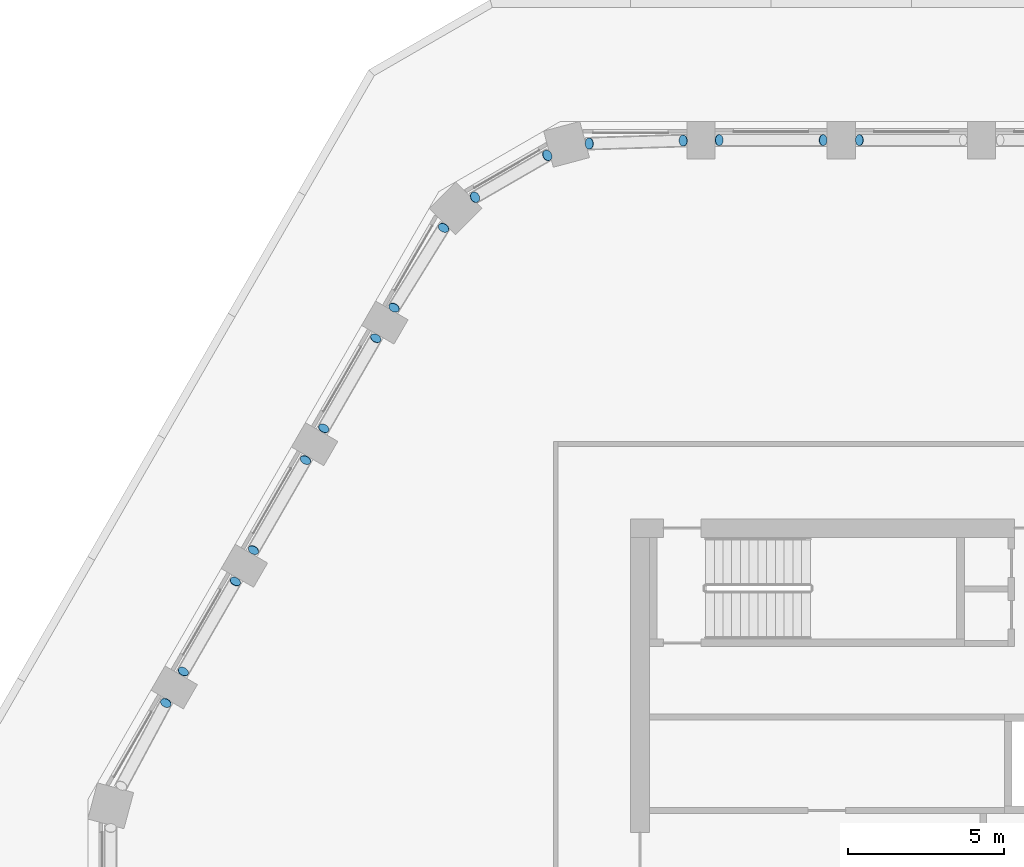
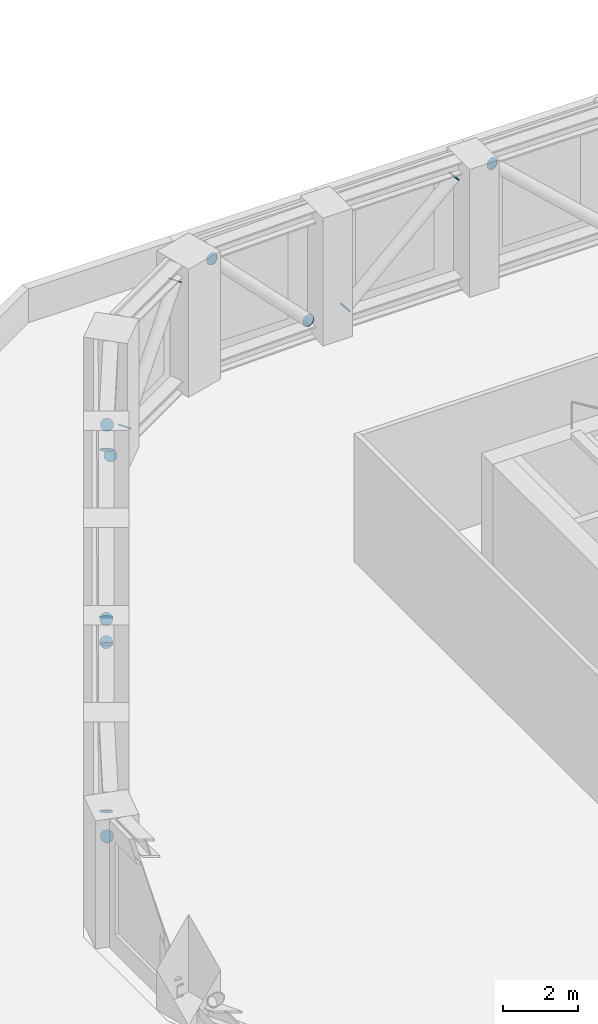
# One storey, part 12 of 14: 16 discrete accessories.
"""IFC4 building model written with IfcOpenShell, lengths in metres."""

import ifcopenshell
import ifcopenshell.guid

model = None  # the IFC model being written
_history = None  # IfcOwnerHistory: only IFC2X3 demands one
_inside = {}  # id of a spatial element -> (the spatial element, [elements in it])
_under = {}  # id of a project, library or spatial element -> (it, [spatial elements below it])
_declared = {}  # id of a project -> (the project, [libraries it declares])
_typed = {}  # id of a type object -> (the type object, [elements of that type])
_made_of = {}  # id of a material, layer set ... -> (it, [elements and type objects made of it])


def new_model(schema):
    """Start an empty IFC model of exactly this schema.

    Asked for "IFC4X3", IfcOpenShell would pick the latest addendum, in which some entities
    have other attributes; the version numbers below select the first issue.
    IFC2X3 requires an IfcOwnerHistory on every rooted entity: one is made here for all.
    """
    global model, _history
    if schema == "IFC4X3":
        model = ifcopenshell.file(schema_version=(4, 3, 0, 0))
    else:
        model = ifcopenshell.file(schema=schema)
    _inside.clear()
    _under.clear()
    _declared.clear()
    _typed.clear()
    _made_of.clear()
    _history = None
    if model.schema == "IFC2X3":
        org = make("IfcOrganization", Name="unknown")
        user = make(
            "IfcPersonAndOrganization",
            ThePerson=make("IfcPerson", FamilyName="unknown"),
            TheOrganization=org,
        )
        app = make(
            "IfcApplication",
            ApplicationDeveloper=org,
            Version="unknown",
            ApplicationFullName="unknown",
            ApplicationIdentifier="unknown",
        )
        _history = make(
            "IfcOwnerHistory",
            OwningUser=user,
            OwningApplication=app,
            ChangeAction="ADDED",
            CreationDate=0,
        )
    return model


def make(cls, **values):
    """One entity of the class cls with the attributes given. An attribute that is None is left unset."""
    return model.create_entity(
        cls, **{name: value for name, value in values.items() if value is not None}
    )


def rooted(cls, **values):
    """An entity with a GlobalId (a new one), such as an element, a storey or a relation."""
    return make(cls, GlobalId=ifcopenshell.guid.new(), OwnerHistory=_history, **values)


def si_unit(unit_type, name, prefix=None):
    """IfcSIUnit, for example si_unit("LENGTHUNIT", "METRE", prefix="MILLI")."""
    return make("IfcSIUnit", UnitType=unit_type, Prefix=prefix, Name=name)


def assignment(units):
    """IfcUnitAssignment: the units of a project."""
    return None if units is None else make("IfcUnitAssignment", Units=units)


def point(xyz):
    """IfcCartesianPoint."""
    return None if xyz is None else make("IfcCartesianPoint", Coordinates=xyz)


def direction(xyz):
    """IfcDirection."""
    return None if xyz is None else make("IfcDirection", DirectionRatios=xyz)


def frame(location, z_axis=None, x_axis=None):
    """IfcAxis2Placement3D, a coordinate frame: its origin and axes. An axis left out is left unset."""
    return make(
        "IfcAxis2Placement3D",
        Location=point(location),
        Axis=direction(z_axis),
        RefDirection=direction(x_axis),
    )


def frame_2d(location, x_axis=None):
    """IfcAxis2Placement2D, a coordinate frame in the plane: its origin and x axis."""
    return make(
        "IfcAxis2Placement2D", Location=point(location), RefDirection=direction(x_axis)
    )


def origin():
    """The frame at (0, 0, 0) with its axes left unset."""
    return frame((0.0, 0.0, 0.0))


def origin_2d():
    """The frame at (0, 0) in the plane with its x axis left unset."""
    return frame_2d((0.0, 0.0))


def place(relative_to, where):
    """IfcLocalPlacement: puts the frame where relative to a parent placement (None: the world)."""
    return make(
        "IfcLocalPlacement", PlacementRelTo=relative_to, RelativePlacement=where
    )


def context(
    kind, dimensions, precision=None, world=None, true_north=None, identifier=None
):
    """IfcGeometricRepresentationContext, for example the 3D "Model" context."""
    return make(
        "IfcGeometricRepresentationContext",
        ContextIdentifier=identifier,
        ContextType=kind,
        CoordinateSpaceDimension=dimensions,
        Precision=precision,
        WorldCoordinateSystem=world,
        TrueNorth=true_north,
    )


def subcontext(parent, identifier, kind, view, scale=None):
    """IfcGeometricRepresentationSubContext, for example "Body" below "Model"."""
    return make(
        "IfcGeometricRepresentationSubContext",
        ContextIdentifier=identifier,
        ContextType=kind,
        ParentContext=parent,
        TargetScale=scale,
        TargetView=view,
    )


def project(units=None, contexts=None):
    """IfcProject with its units and contexts."""
    return rooted(
        "IfcProject",
        Name="project",
        RepresentationContexts=contexts,
        UnitsInContext=assignment(units),
    )


def spatial(cls, under=None, at=None, **own):
    """A site, building, storey or space (cls), placed at a placement, below another one or the project."""
    s = rooted(cls, ObjectPlacement=at, **own)
    if under is not None:
        _under.setdefault(under.id(), (under, []))[1].append(s)
    return s


def profile(cls, at=None, kind="AREA", **sizes):
    """A parametric profile (cls). Its sizes go by their IFC names, for example OverallWidth=200.0."""
    return make(cls, ProfileType=kind, Position=at, **sizes)


def circle(**sizes):
    """IfcCircleProfileDef."""
    return profile("IfcCircleProfileDef", **sizes)


def extrude(swept, where, along, depth):
    """IfcExtrudedAreaSolid: the profile swept, set in the frame where, extruded along a direction by depth."""
    return make(
        "IfcExtrudedAreaSolid",
        SweptArea=swept,
        Position=where,
        ExtrudedDirection=direction(along),
        Depth=depth,
    )


def shape(context_of_items, identifier, shape_type, items):
    """IfcShapeRepresentation: the items that make up one representation, for example the "Body"."""
    return make(
        "IfcShapeRepresentation",
        ContextOfItems=context_of_items,
        RepresentationIdentifier=identifier,
        RepresentationType=shape_type,
        Items=items,
    )


def material(Name=None, Category=None):
    """IfcMaterial."""
    return make("IfcMaterial", Name=Name, Category=Category)


def material_profile(
    of_material, cross_section, Name=None, Category=None, Priority=None
):
    """IfcMaterialProfile: a cross section and its material."""
    return make(
        "IfcMaterialProfile",
        Name=Name,
        Material=of_material,
        Profile=cross_section,
        Priority=Priority,
        Category=Category,
    )


def profile_set(profiles, Name=None, composite=None):
    """IfcMaterialProfileSet."""
    return make(
        "IfcMaterialProfileSet",
        Name=Name,
        MaterialProfiles=profiles,
        CompositeProfile=composite,
    )


def made_of(thing, what):
    """Note that an element or type object is made of a material, layer set ...; save() writes the relation."""
    if what is not None:
        _made_of.setdefault(what.id(), (what, []))[1].append(thing)
    return thing


def type_object(cls, material=None, **own):
    """A type object (cls), such as IfcWallType, which elements share."""
    return made_of(rooted(cls, **own), material)


def element(
    cls,
    number,
    at=None,
    inside=None,
    cuts=None,
    type_object=None,
    material=None,
    context=None,
    identifier="Body",
    shape_type=None,
    held_by="IfcProductDefinitionShape",
    body=None,
    shapes=None,
    **own,
):
    """One element of the class cls, such as IfcWall. Its Tag is "e" and its number.

    at: its placement. inside: the storey or other place that contains it. cuts: it is an
    opening in that element (IfcRelVoidsElement). A single representation is given by context,
    identifier, shape_type and body (its items); several are given by shapes. held_by: the class
    of the entity that holds the representations. save() writes the other relations.
    """
    e = rooted(cls, Tag="e%d" % number, ObjectPlacement=at, **own)
    if body is not None:
        shapes = [shape(context, identifier, shape_type, body)]
    if shapes is not None:
        e.Representation = make(held_by, Representations=shapes)
    if inside is not None:
        _inside.setdefault(inside.id(), (inside, []))[1].append(e)
    if cuts is not None:
        rooted(
            "IfcRelVoidsElement", RelatingBuildingElement=cuts, RelatedOpeningElement=e
        )
    if type_object is not None:
        _typed.setdefault(type_object.id(), (type_object, []))[1].append(e)
    return made_of(e, material)


def aggregate(whole, parts):
    """IfcRelAggregates: a whole, such as a stair, and the parts it consists of."""
    return rooted("IfcRelAggregates", RelatingObject=whole, RelatedObjects=parts)


def save(model, path):
    """Write the relations noted so far, then the file.

    IfcRelAggregates (storeys below a building ...), IfcRelContainedInSpatialStructure (elements
    in a storey), IfcRelDefinesByType, IfcRelAssociatesMaterial and IfcRelDeclares: one each for
    every whole, place, type object, material and project.
    """
    for whole, parts in _under.values():
        aggregate(whole, parts)
    for where, things in _inside.values():
        rooted(
            "IfcRelContainedInSpatialStructure",
            RelatedElements=things,
            RelatingStructure=where,
        )
    for kind, things in _typed.values():
        rooted("IfcRelDefinesByType", RelatedObjects=things, RelatingType=kind)
    for what, things in _made_of.values():
        rooted("IfcRelAssociatesMaterial", RelatedObjects=things, RelatingMaterial=what)
    for by, libraries in _declared.values():
        rooted("IfcRelDeclares", RelatingContext=by, RelatedDefinitions=libraries)
    model.write(path)


model = new_model("IFC4")

# Units and contexts
model_context = context("Model", 3, precision=1e-05, world=origin(), true_north=direction((0.0, 1.0)))
body_context = subcontext(model_context, "Body", "Model", "MODEL_VIEW")
ifc_project = project(units=[si_unit("LENGTHUNIT", "METRE"), si_unit("AREAUNIT", "SQUARE_METRE"), si_unit("VOLUMEUNIT", "CUBIC_METRE"), si_unit("PLANEANGLEUNIT", "RADIAN"), si_unit("MASSUNIT", "GRAM", prefix="KILO")], contexts=[model_context])

# Site, building, storey
site_placement = place(None, origin())
site = spatial("IfcSite", under=ifc_project, at=site_placement, CompositionType="ELEMENT")
building_placement = place(site_placement, origin())
building = spatial("IfcBuilding", under=site, at=building_placement, Name="Dhurran Vertical Campus", CompositionType="ELEMENT")
storey_placement = place(building_placement, frame((0.0, 0.0, 179.39990234375)))
storey = spatial("IfcBuildingStorey", under=building, at=storey_placement, Name="L44 Plant", CompositionType="ELEMENT", Elevation=179.39990234375)

# Discrete accessories
ifc_material = material(Name="Steel S355J2", Category="steel")
ifc_material_profile = material_profile(ifc_material, circle(Radius=0.177734375, at=origin_2d()), Name="Tube end cap 356 x 20")
ifc_profile_set = profile_set([ifc_material_profile], Name="Steel S355J2")
discrete_accessory_type = type_object("IfcDiscreteAccessoryType", Name="Tube end cap 356 x 20", PredefinedType="USERDEFINED", material=ifc_profile_set)
discrete_accessory_1_placement = place(storey_placement, frame((-6.1591796875, 23.385498046875, 3.61279296875), z_axis=(-0.737154140201, 0.0, 0.675724628517), x_axis=(0.0, -1.0, 0.0)))
element("IfcDiscreteAccessory", 1, at=discrete_accessory_1_placement, inside=storey, type_object=discrete_accessory_type, Name="EC1 belt L44 d24 capB", ObjectType="END CAP", PredefinedType="USERDEFINED", context=body_context, shape_type="SweptSolid", body=[
    extrude(circle(Radius=0.177734375, at=origin_2d()), origin(), (0.0, 0.0, 1.0), 0.019775390625),
])
discrete_accessory_2_placement = place(storey_placement, frame((-10.6591796875, 23.385498046875, 0.53759765625), z_axis=(-0.731055268243, 0.0, -0.68231825036), x_axis=(0.0, -1.0, 0.0)))
element("IfcDiscreteAccessory", 2, at=discrete_accessory_2_placement, inside=storey, type_object=discrete_accessory_type, Name="EC1 belt L44 d25 capA", ObjectType="END CAP", PredefinedType="USERDEFINED", context=body_context, shape_type="SweptSolid", body=[
    extrude(circle(Radius=0.177734375, at=origin_2d()), origin(), (0.0, 0.0, 1.0), 0.02001953125),
])
discrete_accessory_3_placement = place(storey_placement, frame((-7.3408203125, 23.385498046875, 3.61279296875), z_axis=(0.737154140201, 0.0, 0.675724628517), x_axis=(0.0, 1.0, 0.0)))
element("IfcDiscreteAccessory", 3, at=discrete_accessory_3_placement, inside=storey, type_object=discrete_accessory_type, Name="EC1 belt L44 d25 capB", ObjectType="END CAP", PredefinedType="USERDEFINED", context=body_context, shape_type="SweptSolid", body=[
    extrude(circle(Radius=0.177734375, at=origin_2d()), origin(), (0.0, 0.0, 1.0), 0.019775390625),
])
discrete_accessory_4_placement = place(storey_placement, frame((-11.8203125, 23.36767578125, 0.531005859375), z_axis=(0.694605630899, 0.0243721274, -0.718977758299), x_axis=(-0.035066140133, 0.999384993792, 0.0)))
element("IfcDiscreteAccessory", 4, at=discrete_accessory_4_placement, inside=storey, type_object=discrete_accessory_type, Name="EC1 belt L44 d26 capA", ObjectType="END CAP", PredefinedType="USERDEFINED", context=body_context, shape_type="SweptSolid", body=[
    extrude(circle(Radius=0.177734375, at=origin_2d()), origin(), (0.0, 0.0, 1.0), 0.02001953125),
])
for number, where, z_axis, x_axis, name in (
    (5, (-14.81689453125, 23.273681640625, 3.619384765625), (-0.700719636996, -0.02458665393, 0.713012963961), (0.035066140133, -0.999384993792, 0.0), "EC1 belt L44 d26 capB"),
    (6, (-18.485107421875, 21.557861328125, 0.52294921875), (-0.564682908561, -0.319168600491, -0.761094355017), (0.492057256668, -0.87056283872, 0.0), "EC1 belt L44 d27 capA"),
):
    element("IfcDiscreteAccessory", number, at=place(storey_placement, frame(where, z_axis=z_axis, x_axis=x_axis)), inside=storey, type_object=discrete_accessory_type, Name=name, ObjectType="END CAP", PredefinedType="USERDEFINED", context=body_context, shape_type="SweptSolid", body=[
        extrude(circle(Radius=0.177734375, at=origin_2d()), origin(), (0.0, 0.0, 1.0), 0.019775390625),
    ])
discrete_accessory_5_placement = place(storey_placement, frame((-16.17724609375, 22.890380859375, 3.627197265625), z_axis=(0.557258583998, 0.327086560173, 0.763201973736), x_axis=(-0.506200568764, 0.862415783821, 0.0)))
element("IfcDiscreteAccessory", 7, at=discrete_accessory_5_placement, inside=storey, type_object=discrete_accessory_type, Name="EC1 belt L44 d27 capB", ObjectType="END CAP", PredefinedType="USERDEFINED", context=body_context, shape_type="SweptSolid", body=[
    extrude(circle(Radius=0.177734375, at=origin_2d()), origin(), (0.0, 0.0, 1.0), 0.020263671875),
])
for number, where, z_axis, x_axis, name in (
    (8, (-19.497314453125, 20.571533203125, 0.531005859375), (0.364285900146, 0.595000303572, -0.716428936954), (-0.852851304076, 0.522153859639, 0.0), "EC1 belt L44 d28 capA"),
    (9, (-21.076904296875, 18.0234375, 3.619384765625), (-0.367469397963, -0.600200016674, 0.710440836063), (0.852851304076, -0.522153859639, 0.0), "EC1 belt L44 d28 capB"),
    (10, (-23.33203125, 14.15283203125, 0.53759765625), (-0.375902579927, -0.630546263103, -0.679049821803), (0.858946974209, -0.512064542317, 0.0), "EC1 belt L44 d29 capA"),
):
    element("IfcDiscreteAccessory", number, at=place(storey_placement, frame(where, z_axis=z_axis, x_axis=x_axis)), inside=storey, type_object=discrete_accessory_type, Name=name, ObjectType="END CAP", PredefinedType="USERDEFINED", context=body_context, shape_type="SweptSolid", body=[
        extrude(circle(Radius=0.177734375, at=origin_2d()), origin(), (0.0, 0.0, 1.0), 0.02001953125),
    ])
discrete_accessory_6_placement = place(storey_placement, frame((-21.6728515625, 17.02685546875, 3.61279296875), z_axis=(0.368465851911, 0.638674143313, 0.675520728504), x_axis=(-0.866185586049, 0.49972245349, 0.0)))
element("IfcDiscreteAccessory", 11, at=discrete_accessory_6_placement, inside=storey, type_object=discrete_accessory_type, Name="EC1 belt L44 d29 capB", ObjectType="END CAP", PredefinedType="USERDEFINED", context=body_context, shape_type="SweptSolid", body=[
    extrude(circle(Radius=0.177734375, at=origin_2d()), origin(), (0.0, 0.0, 1.0), 0.019775390625),
])
for number, where, z_axis, x_axis, name in (
    (12, (-23.9228515625, 13.129638671875, 0.53759765625), (0.365419152851, 0.633393198274, -0.682115751988), (-0.866185586049, 0.49972245349, 0.0), "EC1 belt L44 d30 capA"),
    (13, (-25.58203125, 10.255859375, 3.61279296875), (-0.37900822508, -0.635755732393, 0.672433947723), (0.858946974209, -0.512064542317, 0.0), "EC1 belt L44 d30 capB"),
    (14, (-27.83203125, 6.358642578125, 0.53759765625), (-0.375902579927, -0.630546263103, -0.679049821803), (0.858946974209, -0.512064542317, 0.0), "EC1 belt L44 d31 capA"),
):
    element("IfcDiscreteAccessory", number, at=place(storey_placement, frame(where, z_axis=z_axis, x_axis=x_axis)), inside=storey, type_object=discrete_accessory_type, Name=name, ObjectType="END CAP", PredefinedType="USERDEFINED", context=body_context, shape_type="SweptSolid", body=[
        extrude(circle(Radius=0.177734375, at=origin_2d()), origin(), (0.0, 0.0, 1.0), 0.02001953125),
    ])
discrete_accessory_7_placement = place(storey_placement, frame((-26.1728515625, 9.232666015625, 3.61279296875), z_axis=(0.368465851911, 0.638674143313, 0.675520728504), x_axis=(-0.866185586049, 0.49972245349, 0.0)))
element("IfcDiscreteAccessory", 15, at=discrete_accessory_7_placement, inside=storey, type_object=discrete_accessory_type, Name="EC1 belt L44 d31 capB", ObjectType="END CAP", PredefinedType="USERDEFINED", context=body_context, shape_type="SweptSolid", body=[
    extrude(circle(Radius=0.177734375, at=origin_2d()), origin(), (0.0, 0.0, 1.0), 0.019775390625),
])
discrete_accessory_8_placement = place(storey_placement, frame((-28.397216796875, 5.344482421875, 0.531005859375), z_axis=(0.340427104461, 0.60790554368, -0.717328541542), x_axis=(-0.87250601595, 0.488603368932, 0.0)))
element("IfcDiscreteAccessory", 16, at=discrete_accessory_8_placement, inside=storey, type_object=discrete_accessory_type, Name="EC1 belt L44 d32 capA", ObjectType="END CAP", PredefinedType="USERDEFINED", context=body_context, shape_type="SweptSolid", body=[
    extrude(circle(Radius=0.177734375, at=origin_2d()), origin(), (0.0, 0.0, 1.0), 0.02001953125),
])

save(model, "model.ifc")
